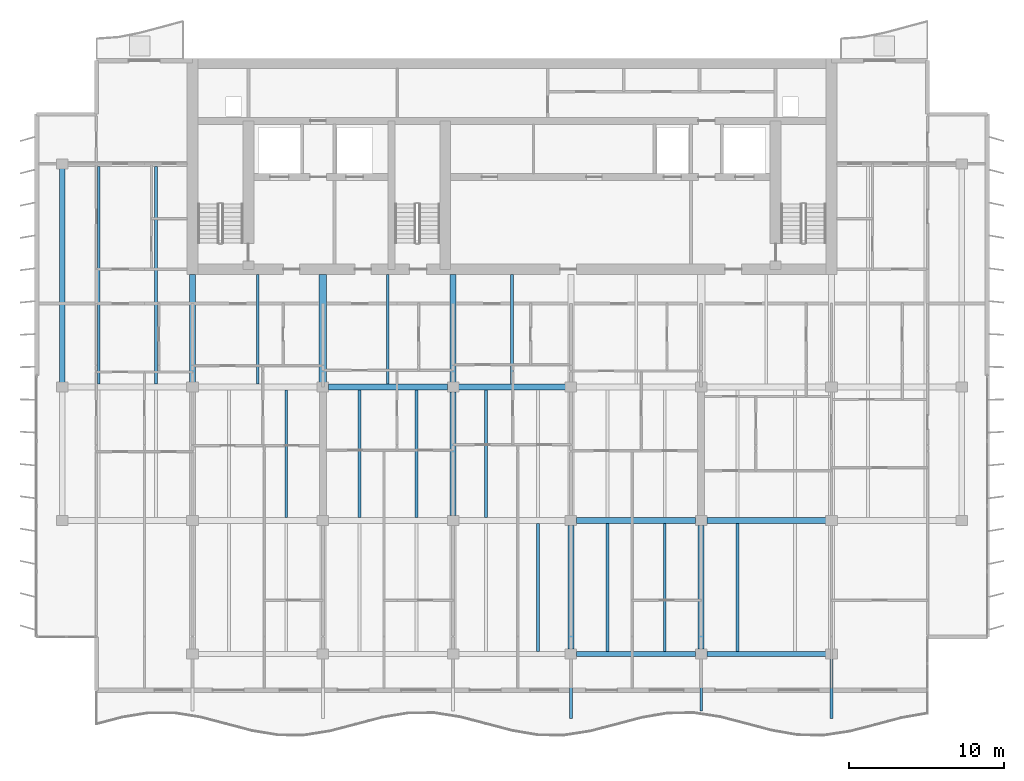
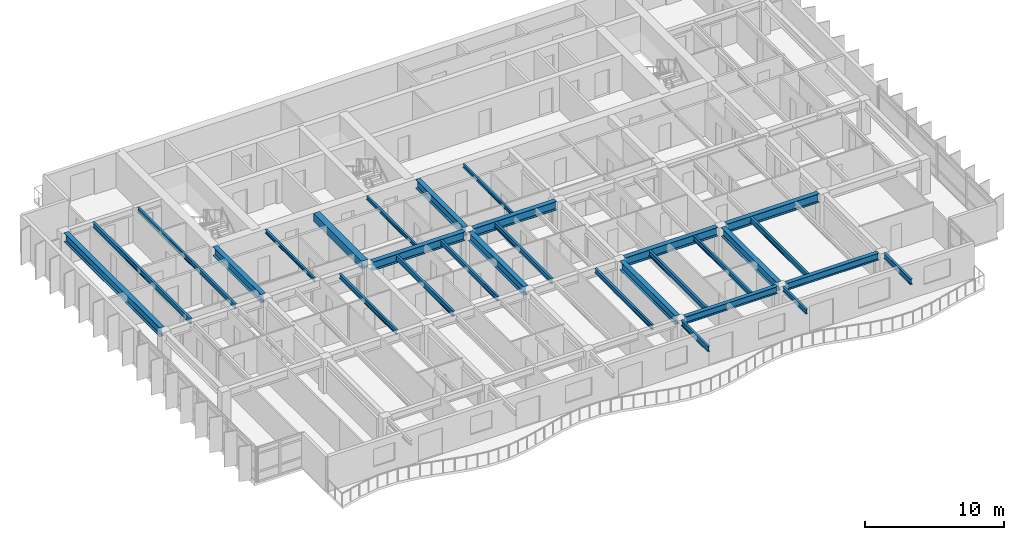
# One storey, part 3 of 17: 29 beams.
"""IFC4 building model written with IfcOpenShell, lengths in metres."""

import ifcopenshell
import ifcopenshell.guid

model = None  # the IFC model being written
_history = None  # IfcOwnerHistory: only IFC2X3 demands one
_inside = {}  # id of a spatial element -> (the spatial element, [elements in it])
_under = {}  # id of a project, library or spatial element -> (it, [spatial elements below it])
_declared = {}  # id of a project -> (the project, [libraries it declares])
_typed = {}  # id of a type object -> (the type object, [elements of that type])
_made_of = {}  # id of a material, layer set ... -> (it, [elements and type objects made of it])


def new_model(schema):
    """Start an empty IFC model of exactly this schema.

    Asked for "IFC4X3", IfcOpenShell would pick the latest addendum, in which some entities
    have other attributes; the version numbers below select the first issue.
    IFC2X3 requires an IfcOwnerHistory on every rooted entity: one is made here for all.
    """
    global model, _history
    if schema == "IFC4X3":
        model = ifcopenshell.file(schema_version=(4, 3, 0, 0))
    else:
        model = ifcopenshell.file(schema=schema)
    _inside.clear()
    _under.clear()
    _declared.clear()
    _typed.clear()
    _made_of.clear()
    _history = None
    if model.schema == "IFC2X3":
        org = make("IfcOrganization", Name="unknown")
        user = make(
            "IfcPersonAndOrganization",
            ThePerson=make("IfcPerson", FamilyName="unknown"),
            TheOrganization=org,
        )
        app = make(
            "IfcApplication",
            ApplicationDeveloper=org,
            Version="unknown",
            ApplicationFullName="unknown",
            ApplicationIdentifier="unknown",
        )
        _history = make(
            "IfcOwnerHistory",
            OwningUser=user,
            OwningApplication=app,
            ChangeAction="ADDED",
            CreationDate=0,
        )
    return model


def make(cls, **values):
    """One entity of the class cls with the attributes given. An attribute that is None is left unset."""
    return model.create_entity(
        cls, **{name: value for name, value in values.items() if value is not None}
    )


def rooted(cls, **values):
    """An entity with a GlobalId (a new one), such as an element, a storey or a relation."""
    return make(cls, GlobalId=ifcopenshell.guid.new(), OwnerHistory=_history, **values)


def si_unit(unit_type, name, prefix=None):
    """IfcSIUnit, for example si_unit("LENGTHUNIT", "METRE", prefix="MILLI")."""
    return make("IfcSIUnit", UnitType=unit_type, Prefix=prefix, Name=name)


def assignment(units):
    """IfcUnitAssignment: the units of a project."""
    return None if units is None else make("IfcUnitAssignment", Units=units)


def point(xyz):
    """IfcCartesianPoint."""
    return None if xyz is None else make("IfcCartesianPoint", Coordinates=xyz)


def direction(xyz):
    """IfcDirection."""
    return None if xyz is None else make("IfcDirection", DirectionRatios=xyz)


def frame(location, z_axis=None, x_axis=None):
    """IfcAxis2Placement3D, a coordinate frame: its origin and axes. An axis left out is left unset."""
    return make(
        "IfcAxis2Placement3D",
        Location=point(location),
        Axis=direction(z_axis),
        RefDirection=direction(x_axis),
    )


def frame_2d(location, x_axis=None):
    """IfcAxis2Placement2D, a coordinate frame in the plane: its origin and x axis."""
    return make(
        "IfcAxis2Placement2D", Location=point(location), RefDirection=direction(x_axis)
    )


def origin():
    """The frame at (0, 0, 0) with its axes left unset."""
    return frame((0.0, 0.0, 0.0))


def origin_2d():
    """The frame at (0, 0) in the plane with its x axis left unset."""
    return frame_2d((0.0, 0.0))


def place(relative_to, where):
    """IfcLocalPlacement: puts the frame where relative to a parent placement (None: the world)."""
    return make(
        "IfcLocalPlacement", PlacementRelTo=relative_to, RelativePlacement=where
    )


def context(
    kind, dimensions, precision=None, world=None, true_north=None, identifier=None
):
    """IfcGeometricRepresentationContext, for example the 3D "Model" context."""
    return make(
        "IfcGeometricRepresentationContext",
        ContextIdentifier=identifier,
        ContextType=kind,
        CoordinateSpaceDimension=dimensions,
        Precision=precision,
        WorldCoordinateSystem=world,
        TrueNorth=true_north,
    )


def subcontext(parent, identifier, kind, view, scale=None):
    """IfcGeometricRepresentationSubContext, for example "Body" below "Model"."""
    return make(
        "IfcGeometricRepresentationSubContext",
        ContextIdentifier=identifier,
        ContextType=kind,
        ParentContext=parent,
        TargetScale=scale,
        TargetView=view,
    )


def project(units=None, contexts=None):
    """IfcProject with its units and contexts."""
    return rooted(
        "IfcProject",
        Name="project",
        RepresentationContexts=contexts,
        UnitsInContext=assignment(units),
    )


def spatial(cls, under=None, at=None, **own):
    """A site, building, storey or space (cls), placed at a placement, below another one or the project."""
    s = rooted(cls, ObjectPlacement=at, **own)
    if under is not None:
        _under.setdefault(under.id(), (under, []))[1].append(s)
    return s


def profile(cls, at=None, kind="AREA", **sizes):
    """A parametric profile (cls). Its sizes go by their IFC names, for example OverallWidth=200.0."""
    return make(cls, ProfileType=kind, Position=at, **sizes)


def rectangle(**sizes):
    """IfcRectangleProfileDef."""
    return profile("IfcRectangleProfileDef", **sizes)


def i_section(**sizes):
    """IfcIShapeProfileDef."""
    return profile("IfcIShapeProfileDef", **sizes)


def extrude(swept, where, along, depth):
    """IfcExtrudedAreaSolid: the profile swept, set in the frame where, extruded along a direction by depth."""
    return make(
        "IfcExtrudedAreaSolid",
        SweptArea=swept,
        Position=where,
        ExtrudedDirection=direction(along),
        Depth=depth,
    )


def shape(context_of_items, identifier, shape_type, items):
    """IfcShapeRepresentation: the items that make up one representation, for example the "Body"."""
    return make(
        "IfcShapeRepresentation",
        ContextOfItems=context_of_items,
        RepresentationIdentifier=identifier,
        RepresentationType=shape_type,
        Items=items,
    )


def material(Name=None, Category=None):
    """IfcMaterial."""
    return make("IfcMaterial", Name=Name, Category=Category)


def material_profile(
    of_material, cross_section, Name=None, Category=None, Priority=None
):
    """IfcMaterialProfile: a cross section and its material."""
    return make(
        "IfcMaterialProfile",
        Name=Name,
        Material=of_material,
        Profile=cross_section,
        Priority=Priority,
        Category=Category,
    )


def profile_set(profiles, Name=None, composite=None):
    """IfcMaterialProfileSet."""
    return make(
        "IfcMaterialProfileSet",
        Name=Name,
        MaterialProfiles=profiles,
        CompositeProfile=composite,
    )


def made_of(thing, what):
    """Note that an element or type object is made of a material, layer set ...; save() writes the relation."""
    if what is not None:
        _made_of.setdefault(what.id(), (what, []))[1].append(thing)
    return thing


def type_object(cls, material=None, **own):
    """A type object (cls), such as IfcWallType, which elements share."""
    return made_of(rooted(cls, **own), material)


def element(
    cls,
    number,
    at=None,
    inside=None,
    cuts=None,
    type_object=None,
    material=None,
    context=None,
    identifier="Body",
    shape_type=None,
    held_by="IfcProductDefinitionShape",
    body=None,
    shapes=None,
    **own,
):
    """One element of the class cls, such as IfcWall. Its Tag is "e" and its number.

    at: its placement. inside: the storey or other place that contains it. cuts: it is an
    opening in that element (IfcRelVoidsElement). A single representation is given by context,
    identifier, shape_type and body (its items); several are given by shapes. held_by: the class
    of the entity that holds the representations. save() writes the other relations.
    """
    e = rooted(cls, Tag="e%d" % number, ObjectPlacement=at, **own)
    if body is not None:
        shapes = [shape(context, identifier, shape_type, body)]
    if shapes is not None:
        e.Representation = make(held_by, Representations=shapes)
    if inside is not None:
        _inside.setdefault(inside.id(), (inside, []))[1].append(e)
    if cuts is not None:
        rooted(
            "IfcRelVoidsElement", RelatingBuildingElement=cuts, RelatedOpeningElement=e
        )
    if type_object is not None:
        _typed.setdefault(type_object.id(), (type_object, []))[1].append(e)
    return made_of(e, material)


def aggregate(whole, parts):
    """IfcRelAggregates: a whole, such as a stair, and the parts it consists of."""
    return rooted("IfcRelAggregates", RelatingObject=whole, RelatedObjects=parts)


def save(model, path):
    """Write the relations noted so far, then the file.

    IfcRelAggregates (storeys below a building ...), IfcRelContainedInSpatialStructure (elements
    in a storey), IfcRelDefinesByType, IfcRelAssociatesMaterial and IfcRelDeclares: one each for
    every whole, place, type object, material and project.
    """
    for whole, parts in _under.values():
        aggregate(whole, parts)
    for where, things in _inside.values():
        rooted(
            "IfcRelContainedInSpatialStructure",
            RelatedElements=things,
            RelatingStructure=where,
        )
    for kind, things in _typed.values():
        rooted("IfcRelDefinesByType", RelatedObjects=things, RelatingType=kind)
    for what, things in _made_of.values():
        rooted("IfcRelAssociatesMaterial", RelatedObjects=things, RelatingMaterial=what)
    for by, libraries in _declared.values():
        rooted("IfcRelDeclares", RelatingContext=by, RelatedDefinitions=libraries)
    model.write(path)


model = new_model("IFC4")

# Units and contexts
model_context = context("Model", 3, precision=1e-05, world=origin(), true_north=direction((0.0, 1.0)))
body_context = subcontext(model_context, "Body", "Model", "MODEL_VIEW")
ifc_project = project(units=[si_unit("LENGTHUNIT", "METRE"), si_unit("AREAUNIT", "SQUARE_METRE"), si_unit("VOLUMEUNIT", "CUBIC_METRE"), si_unit("PLANEANGLEUNIT", "RADIAN"), si_unit("MASSUNIT", "GRAM", prefix="KILO")], contexts=[model_context])

# Site, building, storey
site_placement = place(None, origin())
site = spatial("IfcSite", under=ifc_project, at=site_placement, CompositionType="ELEMENT")
building_placement = place(site_placement, origin())
building = spatial("IfcBuilding", under=site, at=building_placement, Name="Caelmar Bay Residences", CompositionType="ELEMENT")
storey_placement = place(building_placement, frame((0.0, 0.0, 262.800048828125)))
storey = spatial("IfcBuildingStorey", under=building, at=storey_placement, Name="L74", CompositionType="ELEMENT", Elevation=262.800048828125)

# Beams
ifc_material_1 = material(Name="Steel ASTM A992 Grade 50", Category="steel")
ifc_material_profile_1 = material_profile(ifc_material_1, i_section(OverallWidth=0.177978515625, OverallDepth=0.406005859375, WebThickness=0.0078125, FlangeThickness=0.0126953125, FilletRadius=0.0087890625, at=origin_2d()), Name="W16X40")
ifc_profile_set_1 = profile_set([ifc_material_profile_1], Name="Steel ASTM A992 Grade 50")
beam_type_1 = type_object("IfcBeamType", Name="BM-BAL-W16X40", PredefinedType="JOIST", material=ifc_profile_set_1)
for number, where, z_axis, x_axis, name in (
    (1, (40.572021484375, 12.362548828125, 2.846923828125), (0.0, 1.0, 0.0), (-1.0, 0.0, 0.0), "L74 Composite Floor Joist 6"),
    (2, (48.748046875, 12.362548828125, 2.846923828125), (0.0, 1.0, 0.0), (-1.0, 0.0, 0.0), "L74 Composite Floor Joist 8"),
):
    element("IfcBeam", number, at=place(storey_placement, frame(where, z_axis=z_axis, x_axis=x_axis)), inside=storey, type_object=beam_type_1, Name=name, PredefinedType="JOIST", context=body_context, shape_type="SweptSolid", body=[
        extrude(i_section(OverallWidth=0.177978515625, OverallDepth=0.406005859375, WebThickness=0.0078125, FlangeThickness=0.0126953125, FilletRadius=0.0087890625, at=origin_2d()), origin(), (0.0, 0.0, 1.0), 8.2470703125),
    ])
for number, where, z_axis, x_axis, name in (
    (3, (24.347900390625, 20.990478515625, 2.846923828125), (0.0, 1.0, 0.0), (-1.0, 0.0, 0.0), "L74 Composite Floor Joist 14"),
    (4, (32.748046875, 20.990478515625, 2.846923828125), (0.0, 1.0, 0.0), (-1.0, 0.0, 0.0), "L74 Composite Floor Joist 16"),
):
    element("IfcBeam", number, at=place(storey_placement, frame(where, z_axis=z_axis, x_axis=x_axis)), inside=storey, type_object=beam_type_1, Name=name, PredefinedType="JOIST", context=body_context, shape_type="SweptSolid", body=[
        extrude(i_section(OverallWidth=0.177978515625, OverallDepth=0.406005859375, WebThickness=0.0078125, FlangeThickness=0.0126953125, FilletRadius=0.0087890625, at=origin_2d()), origin(), (0.0, 0.0, 1.0), 8.218994140625),
    ])
beam_1_placement = place(storey_placement, frame((15.947998046875, 29.590576171875, 2.846923828125), z_axis=(0.0, 1.0, 0.0), x_axis=(-1.0, 0.0, 0.0)))
element("IfcBeam", 5, at=beam_1_placement, inside=storey, type_object=beam_type_1, Name="L74 Composite Floor Joist 31", PredefinedType="JOIST", context=body_context, shape_type="SweptSolid", body=[
    extrude(i_section(OverallWidth=0.177978515625, OverallDepth=0.406005859375, WebThickness=0.0078125, FlangeThickness=0.0126953125, FilletRadius=0.0087890625, at=origin_2d()), origin(), (0.0, 0.0, 1.0), 14.046875),
])
beam_2_placement = place(storey_placement, frame((51.10009765625, 11.885009765625, 2.846923828125), z_axis=(0.0, -1.0, 0.0), x_axis=(1.0, 0.0, 0.0)))
element("IfcBeam", 6, at=beam_2_placement, inside=storey, type_object=beam_type_1, Name="L75 South Balcony Cantilever Bracket 5", PredefinedType="JOIST", context=body_context, shape_type="SweptSolid", body=[
    extrude(i_section(OverallWidth=0.177978515625, OverallDepth=0.406005859375, WebThickness=0.0078125, FlangeThickness=0.0126953125, FilletRadius=0.0087890625, at=origin_2d()), origin(), (0.0, 0.0, 1.0), 3.3671875),
])
ifc_material_profile_2 = material_profile(ifc_material_1, i_section(OverallWidth=0.193115234375, OverallDepth=0.467041015625, WebThickness=0.011474609375, FlangeThickness=0.01904296875, FilletRadius=0.01025390625, at=origin_2d()), Name="W18X65")
ifc_profile_set_2 = profile_set([ifc_material_profile_2], Name="Steel ASTM A992 Grade 50")
beam_type_2 = type_object("IfcBeamType", Name="BM-BAL-W18X65", PredefinedType="BEAM", material=ifc_profile_set_2)
for number, where, z_axis, x_axis, name in (
    (7, (42.699951171875, 11.885009765625, 2.81640625), (0.0, -1.0, 0.0), (1.0, 0.0, 0.0), "L75 South Balcony Cantilever Bracket 4"),
    (8, (59.5, 11.885009765625, 2.81640625), (0.0, -1.0, 0.0), (1.0, 0.0, 0.0), "L75 South Balcony Cantilever Bracket 6"),
):
    element("IfcBeam", number, at=place(storey_placement, frame(where, z_axis=z_axis, x_axis=x_axis)), inside=storey, type_object=beam_type_2, Name=name, PredefinedType="BEAM", context=body_context, shape_type="SweptSolid", body=[
        extrude(i_section(OverallWidth=0.193115234375, OverallDepth=0.467041015625, WebThickness=0.011474609375, FlangeThickness=0.01904296875, FilletRadius=0.01025390625, at=origin_2d()), origin(), (0.0, 0.0, 1.0), 3.85009765625),
    ])
ifc_material_profile_3 = material_profile(ifc_material_1, i_section(OverallWidth=0.381103515625, OverallDepth=0.77197265625, WebThickness=0.0166015625, FlangeThickness=0.027099609375, FilletRadius=0.0166015625, at=origin_2d()), Name="W30X173")
ifc_profile_set_3 = profile_set([ifc_material_profile_3], Name="Steel ASTM A992 Grade 50")
beam_type_3 = type_object("IfcBeamType", Name="BM-GRD-W30X173", PredefinedType="BEAM", material=ifc_profile_set_3)
beam_3_placement = place(storey_placement, frame((43.06494140625, 20.800048828125, 2.6640625), z_axis=(1.0, 0.0, 0.0), x_axis=(0.0, 1.0, 0.0)))
element("IfcBeam", 9, at=beam_3_placement, inside=storey, type_object=beam_type_3, Name="L74 East-West Girder Y=20.80 (42.7-51.1)", PredefinedType="BEAM", context=body_context, shape_type="SweptSolid", body=[
    extrude(i_section(OverallWidth=0.381103515625, OverallDepth=0.77197265625, WebThickness=0.0166015625, FlangeThickness=0.027099609375, FilletRadius=0.0166015625, at=origin_2d()), origin(), (0.0, 0.0, 1.0), 7.670166015625),
])
beam_4_placement = place(storey_placement, frame((51.465087890625, 20.800048828125, 2.6640625), z_axis=(1.0, 0.0, 0.0), x_axis=(0.0, 1.0, 0.0)))
element("IfcBeam", 10, at=beam_4_placement, inside=storey, type_object=beam_type_3, Name="L74 East-West Girder Y=20.80 (51.1-59.5)", PredefinedType="BEAM", context=body_context, shape_type="SweptSolid", body=[
    extrude(i_section(OverallWidth=0.381103515625, OverallDepth=0.77197265625, WebThickness=0.0166015625, FlangeThickness=0.027099609375, FilletRadius=0.0166015625, at=origin_2d()), origin(), (0.0, 0.0, 1.0), 7.669921875),
])
beam_5_placement = place(storey_placement, frame((27.06494140625, 29.39990234375, 2.6640625), z_axis=(1.0, 0.0, 0.0), x_axis=(0.0, 1.0, 0.0)))
element("IfcBeam", 11, at=beam_5_placement, inside=storey, type_object=beam_type_3, Name="L74 East-West Girder Y=29.40 (26.7-35.1)", PredefinedType="BEAM", context=body_context, shape_type="SweptSolid", body=[
    extrude(i_section(OverallWidth=0.381103515625, OverallDepth=0.77197265625, WebThickness=0.0166015625, FlangeThickness=0.027099609375, FilletRadius=0.0166015625, at=origin_2d()), origin(), (0.0, 0.0, 1.0), 7.670166015625),
])
beam_6_placement = place(storey_placement, frame((35.465087890625, 29.39990234375, 2.6640625), z_axis=(1.0, 0.0, 0.0), x_axis=(0.0, 1.0, 0.0)))
element("IfcBeam", 12, at=beam_6_placement, inside=storey, type_object=beam_type_3, Name="L74 East-West Girder Y=29.40 (35.1-42.7)", PredefinedType="BEAM", context=body_context, shape_type="SweptSolid", body=[
    extrude(i_section(OverallWidth=0.381103515625, OverallDepth=0.77197265625, WebThickness=0.0166015625, FlangeThickness=0.027099609375, FilletRadius=0.0166015625, at=origin_2d()), origin(), (0.0, 0.0, 1.0), 6.869873046875),
])
beam_7_placement = place(storey_placement, frame((9.89990234375, 29.715087890625, 2.6640625), z_axis=(0.0, 1.0, 0.0), x_axis=(-1.0, 0.0, 0.0)))
element("IfcBeam", 13, at=beam_7_placement, inside=storey, type_object=beam_type_3, Name="L74 North-South Girder X=9.90 (29.4-43.8)", PredefinedType="BEAM", context=body_context, shape_type="SweptSolid", body=[
    extrude(i_section(OverallWidth=0.381103515625, OverallDepth=0.77197265625, WebThickness=0.0166015625, FlangeThickness=0.027099609375, FilletRadius=0.0166015625, at=origin_2d()), origin(), (0.0, 0.0, 1.0), 13.77001953125),
])
for number, where, z_axis, x_axis, name in (
    (14, (18.300048828125, 29.715087890625, 2.6640625), (0.0, 1.0, 0.0), (-1.0, 0.0, 0.0), "L74 Core Tie Girder X=18.30"),
    (15, (35.10009765625, 29.715087890625, 2.6640625), (0.0, 1.0, 0.0), (-1.0, 0.0, 0.0), "L74 Core Tie Girder X=35.10"),
):
    element("IfcBeam", number, at=place(storey_placement, frame(where, z_axis=z_axis, x_axis=x_axis)), inside=storey, type_object=beam_type_3, Name=name, PredefinedType="BEAM", context=body_context, shape_type="SweptSolid", body=[
        extrude(i_section(OverallWidth=0.381103515625, OverallDepth=0.77197265625, WebThickness=0.0166015625, FlangeThickness=0.027099609375, FilletRadius=0.0166015625, at=origin_2d()), origin(), (0.0, 0.0, 1.0), 6.934814453125),
    ])
beam_8_placement = place(storey_placement, frame((35.10009765625, 21.114990234375, 2.6640625), z_axis=(0.0, 1.0, 0.0), x_axis=(-1.0, 0.0, 0.0)))
element("IfcBeam", 16, at=beam_8_placement, inside=storey, type_object=beam_type_3, Name="L74 North-South Girder X=35.10 (20.8-29.4)", PredefinedType="BEAM", context=body_context, shape_type="SweptSolid", body=[
    extrude(i_section(OverallWidth=0.381103515625, OverallDepth=0.77197265625, WebThickness=0.0166015625, FlangeThickness=0.027099609375, FilletRadius=0.0166015625, at=origin_2d()), origin(), (0.0, 0.0, 1.0), 7.969970703125),
])
for number, where, z_axis, x_axis, name in (
    (17, (42.699951171875, 12.514892578125, 2.6640625), (0.0, 1.0, 0.0), (-1.0, 0.0, 0.0), "L74 North-South Girder X=42.70 (12.2-20.8)"),
    (18, (51.10009765625, 12.514892578125, 2.6640625), (0.0, 1.0, 0.0), (-1.0, 0.0, 0.0), "L74 North-South Girder X=51.10 (12.2-20.8)"),
):
    element("IfcBeam", number, at=place(storey_placement, frame(where, z_axis=z_axis, x_axis=x_axis)), inside=storey, type_object=beam_type_3, Name=name, PredefinedType="BEAM", context=body_context, shape_type="SweptSolid", body=[
        extrude(i_section(OverallWidth=0.381103515625, OverallDepth=0.77197265625, WebThickness=0.0166015625, FlangeThickness=0.027099609375, FilletRadius=0.0166015625, at=origin_2d()), origin(), (0.0, 0.0, 1.0), 7.97021484375),
    ])
ifc_material_profile_4 = material_profile(ifc_material_1, i_section(OverallWidth=0.1650390625, OverallDepth=0.31005859375, WebThickness=0.005859375, FlangeThickness=0.009765625, FilletRadius=0.007568359375, at=origin_2d()), Name="W12X26")
ifc_profile_set_4 = profile_set([ifc_material_profile_4], Name="Steel ASTM A992 Grade 50")
beam_type_4 = type_object("IfcBeamType", Name="BM-JST-W12X26", PredefinedType="JOIST", material=ifc_profile_set_4)
for number, where, z_axis, x_axis, name in (
    (19, (22.5, 29.590576171875, 2.89501953125), (0.0, 1.0, 0.0), (-1.0, 0.0, 0.0), "L74 Core-Band Composite Joist 25"),
    (20, (30.89990234375, 29.590576171875, 2.89501953125), (0.0, 1.0, 0.0), (-1.0, 0.0, 0.0), "L74 Core-Band Composite Joist 26"),
    (21, (38.89990234375, 29.590576171875, 2.89501953125), (0.0, 1.0, 0.0), (-1.0, 0.0, 0.0), "L74 Core-Band Composite Joist 27"),
):
    element("IfcBeam", number, at=place(storey_placement, frame(where, z_axis=z_axis, x_axis=x_axis)), inside=storey, type_object=beam_type_4, Name=name, PredefinedType="JOIST", context=body_context, shape_type="SweptSolid", body=[
        extrude(i_section(OverallWidth=0.1650390625, OverallDepth=0.31005859375, WebThickness=0.005859375, FlangeThickness=0.009765625, FilletRadius=0.007568359375, at=origin_2d()), origin(), (0.0, 0.0, 1.0), 7.059326171875),
    ])
ifc_material_profile_5 = material_profile(ifc_material_1, i_section(OverallWidth=0.19091796875, OverallDepth=0.45703125, WebThickness=0.009033203125, FlangeThickness=0.014404296875, FilletRadius=0.01025390625, at=origin_2d()), Name="W18X50")
ifc_profile_set_5 = profile_set([ifc_material_profile_5], Name="Steel ASTM A992 Grade 50")
beam_type_5 = type_object("IfcBeamType", Name="BM-JST-W18X50", PredefinedType="JOIST", material=ifc_profile_set_5)
for number, where, z_axis, x_axis, name in (
    (22, (45.052001953125, 12.362548828125, 2.821533203125), (0.0, 1.0, 0.0), (-1.0, 0.0, 0.0), "L74 Composite Floor Joist 7"),
    (23, (53.451904296875, 12.362548828125, 2.821533203125), (0.0, 1.0, 0.0), (-1.0, 0.0, 0.0), "L74 Composite Floor Joist 9"),
):
    element("IfcBeam", number, at=place(storey_placement, frame(where, z_axis=z_axis, x_axis=x_axis)), inside=storey, type_object=beam_type_5, Name=name, PredefinedType="JOIST", context=body_context, shape_type="SweptSolid", body=[
        extrude(i_section(OverallWidth=0.19091796875, OverallDepth=0.45703125, WebThickness=0.009033203125, FlangeThickness=0.014404296875, FilletRadius=0.01025390625, at=origin_2d()), origin(), (0.0, 0.0, 1.0), 8.2470703125),
    ])
for number, where, z_axis, x_axis, name in (
    (24, (29.052001953125, 20.990478515625, 2.821533203125), (0.0, 1.0, 0.0), (-1.0, 0.0, 0.0), "L74 Composite Floor Joist 15"),
    (25, (37.22802734375, 20.990478515625, 2.821533203125), (0.0, 1.0, 0.0), (-1.0, 0.0, 0.0), "L74 Composite Floor Joist 17"),
):
    element("IfcBeam", number, at=place(storey_placement, frame(where, z_axis=z_axis, x_axis=x_axis)), inside=storey, type_object=beam_type_5, Name=name, PredefinedType="JOIST", context=body_context, shape_type="SweptSolid", body=[
        extrude(i_section(OverallWidth=0.19091796875, OverallDepth=0.45703125, WebThickness=0.009033203125, FlangeThickness=0.014404296875, FilletRadius=0.01025390625, at=origin_2d()), origin(), (0.0, 0.0, 1.0), 8.218994140625),
    ])
beam_9_placement = place(storey_placement, frame((12.251953125, 29.590576171875, 2.821533203125), z_axis=(0.0, 1.0, 0.0), x_axis=(-1.0, 0.0, 0.0)))
element("IfcBeam", 26, at=beam_9_placement, inside=storey, type_object=beam_type_5, Name="L74 Composite Floor Joist 30", PredefinedType="JOIST", context=body_context, shape_type="SweptSolid", body=[
    extrude(i_section(OverallWidth=0.19091796875, OverallDepth=0.45703125, WebThickness=0.009033203125, FlangeThickness=0.014404296875, FilletRadius=0.01025390625, at=origin_2d()), origin(), (0.0, 0.0, 1.0), 14.046875),
])
ifc_material_2 = material(Name="Concrete f'c 55 MPa (8,000 psi)", Category="concrete")
ifc_material_profile_6 = material_profile(ifc_material_2, rectangle(XDim=0.5, YDim=0.699951171875, at=origin_2d()), Name="RC-BM-500X700")
ifc_profile_set_6 = profile_set([ifc_material_profile_6], Name="Concrete f'c 55 MPa (8,000 psi)")
beam_type_6 = type_object("IfcBeamType", Name="BM-RC-500X700", PredefinedType="LINTEL", material=ifc_profile_set_6)
beam_10_placement = place(storey_placement, frame((26.699951171875, 29.715087890625, 2.699951171875), z_axis=(0.0, 1.0, 0.0), x_axis=(-1.0, 0.0, 0.0)))
element("IfcBeam", 27, at=beam_10_placement, inside=storey, type_object=beam_type_6, Name="L74 Shear-Wall Corridor Coupling Lintel W5", PredefinedType="LINTEL", context=body_context, shape_type="SweptSolid", body=[
    extrude(rectangle(XDim=0.5, YDim=0.699951171875, at=origin_2d()), origin(), (0.0, 0.0, 1.0), 6.934814453125),
])
ifc_material_profile_7 = material_profile(ifc_material_1, i_section(OverallWidth=0.324951171875, OverallDepth=0.616943359375, WebThickness=0.013916015625, FlangeThickness=0.021484375, FilletRadius=0.0126953125, at=origin_2d()), Name="W24X117")
ifc_profile_set_7 = profile_set([ifc_material_profile_7], Name="Steel ASTM A992 Grade 50")
beam_type_7 = type_object("IfcBeamType", Name="BM-SPN-W24X117", PredefinedType="SPANDREL", material=ifc_profile_set_7)
beam_11_placement = place(storey_placement, frame((43.06494140625, 12.199951171875, 2.741455078125), z_axis=(1.0, 0.0, 0.0), x_axis=(0.0, 1.0, 0.0)))
element("IfcBeam", 28, at=beam_11_placement, inside=storey, type_object=beam_type_7, Name="L74 East-West Girder Y=12.20 (42.7-51.1)", PredefinedType="SPANDREL", context=body_context, shape_type="SweptSolid", body=[
    extrude(i_section(OverallWidth=0.324951171875, OverallDepth=0.616943359375, WebThickness=0.013916015625, FlangeThickness=0.021484375, FilletRadius=0.0126953125, at=origin_2d()), origin(), (0.0, 0.0, 1.0), 7.670166015625),
])
beam_12_placement = place(storey_placement, frame((51.465087890625, 12.199951171875, 2.741455078125), z_axis=(1.0, 0.0, 0.0), x_axis=(0.0, 1.0, 0.0)))
element("IfcBeam", 29, at=beam_12_placement, inside=storey, type_object=beam_type_7, Name="L74 East-West Girder Y=12.20 (51.1-59.5)", PredefinedType="SPANDREL", context=body_context, shape_type="SweptSolid", body=[
    extrude(i_section(OverallWidth=0.324951171875, OverallDepth=0.616943359375, WebThickness=0.013916015625, FlangeThickness=0.021484375, FilletRadius=0.0126953125, at=origin_2d()), origin(), (0.0, 0.0, 1.0), 7.669921875),
])

save(model, "model.ifc")
